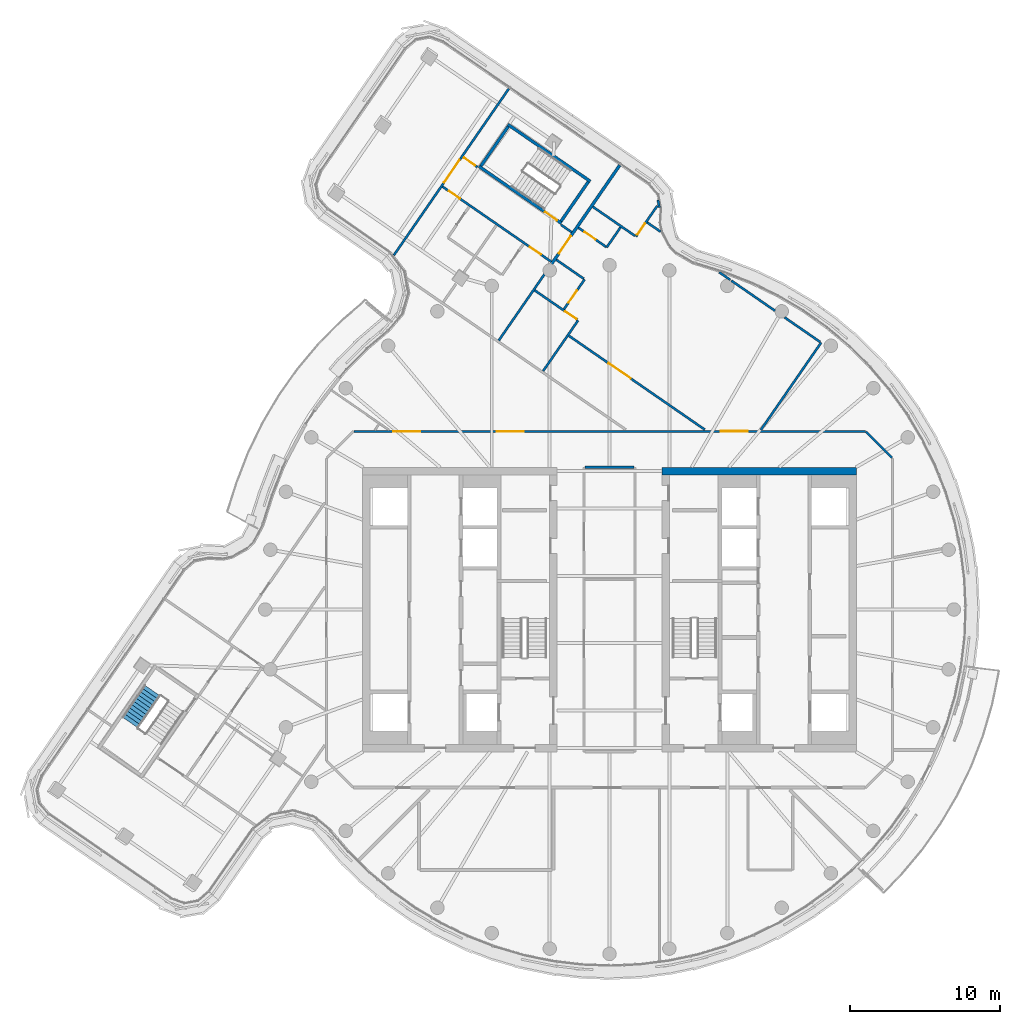
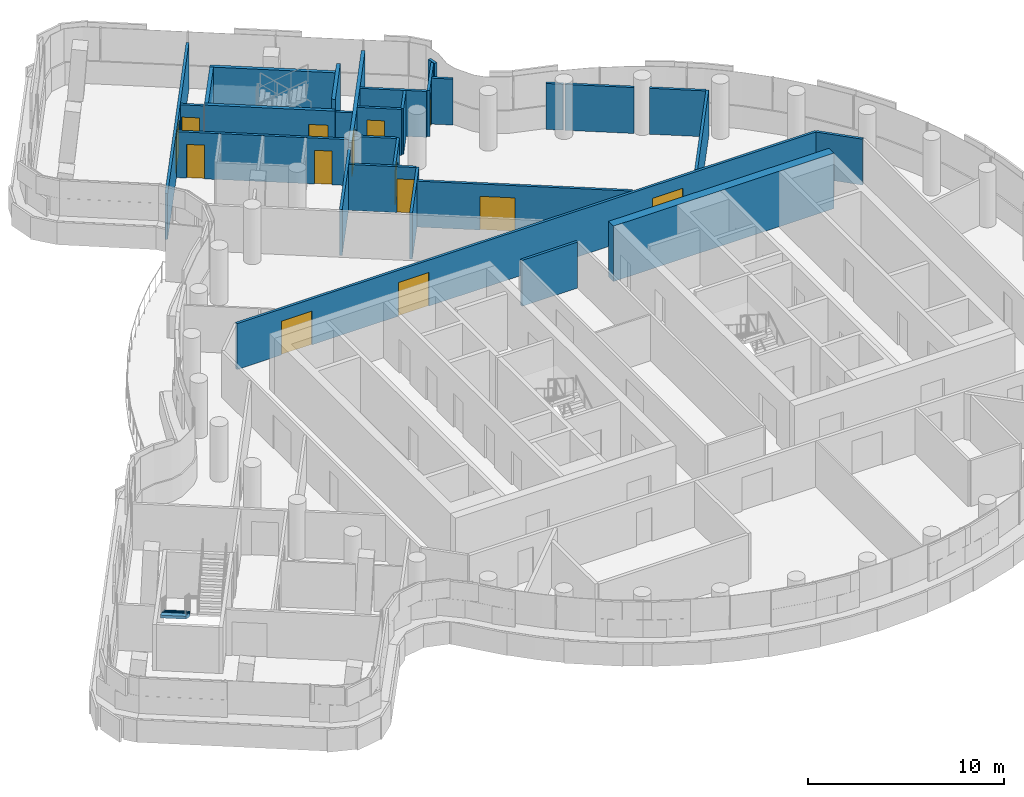
# One storey, part 19 of 26: 29 walls, 14 doors, 1 stair flight, 14 openings, 1 element without a shape of its own.
"""IFC4 building model written with IfcOpenShell, lengths in metres."""

import ifcopenshell
import ifcopenshell.guid

model = None  # the IFC model being written
_history = None  # IfcOwnerHistory: only IFC2X3 demands one
_inside = {}  # id of a spatial element -> (the spatial element, [elements in it])
_under = {}  # id of a project, library or spatial element -> (it, [spatial elements below it])
_declared = {}  # id of a project -> (the project, [libraries it declares])
_typed = {}  # id of a type object -> (the type object, [elements of that type])
_made_of = {}  # id of a material, layer set ... -> (it, [elements and type objects made of it])


def new_model(schema):
    """Start an empty IFC model of exactly this schema.

    Asked for "IFC4X3", IfcOpenShell would pick the latest addendum, in which some entities
    have other attributes; the version numbers below select the first issue.
    IFC2X3 requires an IfcOwnerHistory on every rooted entity: one is made here for all.
    """
    global model, _history
    if schema == "IFC4X3":
        model = ifcopenshell.file(schema_version=(4, 3, 0, 0))
    else:
        model = ifcopenshell.file(schema=schema)
    _inside.clear()
    _under.clear()
    _declared.clear()
    _typed.clear()
    _made_of.clear()
    _history = None
    if model.schema == "IFC2X3":
        org = make("IfcOrganization", Name="unknown")
        user = make(
            "IfcPersonAndOrganization",
            ThePerson=make("IfcPerson", FamilyName="unknown"),
            TheOrganization=org,
        )
        app = make(
            "IfcApplication",
            ApplicationDeveloper=org,
            Version="unknown",
            ApplicationFullName="unknown",
            ApplicationIdentifier="unknown",
        )
        _history = make(
            "IfcOwnerHistory",
            OwningUser=user,
            OwningApplication=app,
            ChangeAction="ADDED",
            CreationDate=0,
        )
    return model


def make(cls, **values):
    """One entity of the class cls with the attributes given. An attribute that is None is left unset."""
    return model.create_entity(
        cls, **{name: value for name, value in values.items() if value is not None}
    )


def rooted(cls, **values):
    """An entity with a GlobalId (a new one), such as an element, a storey or a relation."""
    return make(cls, GlobalId=ifcopenshell.guid.new(), OwnerHistory=_history, **values)


def si_unit(unit_type, name, prefix=None):
    """IfcSIUnit, for example si_unit("LENGTHUNIT", "METRE", prefix="MILLI")."""
    return make("IfcSIUnit", UnitType=unit_type, Prefix=prefix, Name=name)


def assignment(units):
    """IfcUnitAssignment: the units of a project."""
    return None if units is None else make("IfcUnitAssignment", Units=units)


def point(xyz):
    """IfcCartesianPoint."""
    return None if xyz is None else make("IfcCartesianPoint", Coordinates=xyz)


def direction(xyz):
    """IfcDirection."""
    return None if xyz is None else make("IfcDirection", DirectionRatios=xyz)


def frame(location, z_axis=None, x_axis=None):
    """IfcAxis2Placement3D, a coordinate frame: its origin and axes. An axis left out is left unset."""
    return make(
        "IfcAxis2Placement3D",
        Location=point(location),
        Axis=direction(z_axis),
        RefDirection=direction(x_axis),
    )


def frame_2d(location, x_axis=None):
    """IfcAxis2Placement2D, a coordinate frame in the plane: its origin and x axis."""
    return make(
        "IfcAxis2Placement2D", Location=point(location), RefDirection=direction(x_axis)
    )


def origin():
    """The frame at (0, 0, 0) with its axes left unset."""
    return frame((0.0, 0.0, 0.0))


def place(relative_to, where):
    """IfcLocalPlacement: puts the frame where relative to a parent placement (None: the world)."""
    return make(
        "IfcLocalPlacement", PlacementRelTo=relative_to, RelativePlacement=where
    )


def context(
    kind, dimensions, precision=None, world=None, true_north=None, identifier=None
):
    """IfcGeometricRepresentationContext, for example the 3D "Model" context."""
    return make(
        "IfcGeometricRepresentationContext",
        ContextIdentifier=identifier,
        ContextType=kind,
        CoordinateSpaceDimension=dimensions,
        Precision=precision,
        WorldCoordinateSystem=world,
        TrueNorth=true_north,
    )


def subcontext(parent, identifier, kind, view, scale=None):
    """IfcGeometricRepresentationSubContext, for example "Body" below "Model"."""
    return make(
        "IfcGeometricRepresentationSubContext",
        ContextIdentifier=identifier,
        ContextType=kind,
        ParentContext=parent,
        TargetScale=scale,
        TargetView=view,
    )


def project(units=None, contexts=None):
    """IfcProject with its units and contexts."""
    return rooted(
        "IfcProject",
        Name="project",
        RepresentationContexts=contexts,
        UnitsInContext=assignment(units),
    )


def spatial(cls, under=None, at=None, **own):
    """A site, building, storey or space (cls), placed at a placement, below another one or the project."""
    s = rooted(cls, ObjectPlacement=at, **own)
    if under is not None:
        _under.setdefault(under.id(), (under, []))[1].append(s)
    return s


def polyline(points):
    """IfcPolyline through the points."""
    return make("IfcPolyline", Points=[point(p) for p in points])


def profile(cls, at=None, kind="AREA", **sizes):
    """A parametric profile (cls). Its sizes go by their IFC names, for example OverallWidth=200.0."""
    return make(cls, ProfileType=kind, Position=at, **sizes)


def rectangle(**sizes):
    """IfcRectangleProfileDef."""
    return profile("IfcRectangleProfileDef", **sizes)


def outline(outer, holes=None, kind="AREA"):
    """IfcArbitraryClosedProfileDef: a profile drawn as a closed curve; with holes, ...WithVoids."""
    if holes is None:
        return make("IfcArbitraryClosedProfileDef", ProfileType=kind, OuterCurve=outer)
    return make(
        "IfcArbitraryProfileDefWithVoids",
        ProfileType=kind,
        OuterCurve=outer,
        InnerCurves=holes,
    )


def extrude(swept, where, along, depth):
    """IfcExtrudedAreaSolid: the profile swept, set in the frame where, extruded along a direction by depth."""
    return make(
        "IfcExtrudedAreaSolid",
        SweptArea=swept,
        Position=where,
        ExtrudedDirection=direction(along),
        Depth=depth,
    )


def shape(context_of_items, identifier, shape_type, items):
    """IfcShapeRepresentation: the items that make up one representation, for example the "Body"."""
    return make(
        "IfcShapeRepresentation",
        ContextOfItems=context_of_items,
        RepresentationIdentifier=identifier,
        RepresentationType=shape_type,
        Items=items,
    )


def material(Name=None, Category=None):
    """IfcMaterial."""
    return make("IfcMaterial", Name=Name, Category=Category)


def layer(
    of_material, thickness, ventilated=None, Name=None, Category=None, Priority=None
):
    """IfcMaterialLayer: one layer of a wall or slab, of a material (None: an air gap)."""
    return make(
        "IfcMaterialLayer",
        Material=of_material,
        LayerThickness=thickness,
        IsVentilated=ventilated,
        Name=Name,
        Category=Category,
        Priority=Priority,
    )


def layer_set(layers, Name=None):
    """IfcMaterialLayerSet."""
    return make("IfcMaterialLayerSet", MaterialLayers=layers, LayerSetName=Name)


def made_of(thing, what):
    """Note that an element or type object is made of a material, layer set ...; save() writes the relation."""
    if what is not None:
        _made_of.setdefault(what.id(), (what, []))[1].append(thing)
    return thing


def type_object(cls, material=None, **own):
    """A type object (cls), such as IfcWallType, which elements share."""
    return made_of(rooted(cls, **own), material)


def element(
    cls,
    number,
    at=None,
    inside=None,
    cuts=None,
    type_object=None,
    material=None,
    context=None,
    identifier="Body",
    shape_type=None,
    held_by="IfcProductDefinitionShape",
    body=None,
    shapes=None,
    **own,
):
    """One element of the class cls, such as IfcWall. Its Tag is "e" and its number.

    at: its placement. inside: the storey or other place that contains it. cuts: it is an
    opening in that element (IfcRelVoidsElement). A single representation is given by context,
    identifier, shape_type and body (its items); several are given by shapes. held_by: the class
    of the entity that holds the representations. save() writes the other relations.
    """
    e = rooted(cls, Tag="e%d" % number, ObjectPlacement=at, **own)
    if body is not None:
        shapes = [shape(context, identifier, shape_type, body)]
    if shapes is not None:
        e.Representation = make(held_by, Representations=shapes)
    if inside is not None:
        _inside.setdefault(inside.id(), (inside, []))[1].append(e)
    if cuts is not None:
        rooted(
            "IfcRelVoidsElement", RelatingBuildingElement=cuts, RelatedOpeningElement=e
        )
    if type_object is not None:
        _typed.setdefault(type_object.id(), (type_object, []))[1].append(e)
    return made_of(e, material)


def fill(opening, filler):
    """IfcRelFillsElement: the door or window that sits in an opening."""
    return rooted(
        "IfcRelFillsElement",
        RelatingOpeningElement=opening,
        RelatedBuildingElement=filler,
    )


def aggregate(whole, parts):
    """IfcRelAggregates: a whole, such as a stair, and the parts it consists of."""
    return rooted("IfcRelAggregates", RelatingObject=whole, RelatedObjects=parts)


def save(model, path):
    """Write the relations noted so far, then the file.

    IfcRelAggregates (storeys below a building ...), IfcRelContainedInSpatialStructure (elements
    in a storey), IfcRelDefinesByType, IfcRelAssociatesMaterial and IfcRelDeclares: one each for
    every whole, place, type object, material and project.
    """
    for whole, parts in _under.values():
        aggregate(whole, parts)
    for where, things in _inside.values():
        rooted(
            "IfcRelContainedInSpatialStructure",
            RelatedElements=things,
            RelatingStructure=where,
        )
    for kind, things in _typed.values():
        rooted("IfcRelDefinesByType", RelatedObjects=things, RelatingType=kind)
    for what, things in _made_of.values():
        rooted("IfcRelAssociatesMaterial", RelatedObjects=things, RelatingMaterial=what)
    for by, libraries in _declared.values():
        rooted("IfcRelDeclares", RelatingContext=by, RelatedDefinitions=libraries)
    model.write(path)


model = new_model("IFC4")

# Units and contexts
model_context = context("Model", 3, precision=1e-05, world=origin(), true_north=direction((0.0, 1.0)))
body_context = subcontext(model_context, "Body", "Model", "MODEL_VIEW")
ifc_project = project(units=[si_unit("LENGTHUNIT", "METRE"), si_unit("AREAUNIT", "SQUARE_METRE"), si_unit("VOLUMEUNIT", "CUBIC_METRE"), si_unit("PLANEANGLEUNIT", "RADIAN"), si_unit("MASSUNIT", "GRAM", prefix="KILO")], contexts=[model_context])

# Site, building, storey
site_placement = place(None, origin())
site = spatial("IfcSite", under=ifc_project, at=site_placement, CompositionType="ELEMENT")
building_placement = place(site_placement, origin())
building = spatial("IfcBuilding", under=site, at=building_placement, Name="Tamarind Cross Interchange Tower", CompositionType="ELEMENT")
storey_placement = place(building_placement, frame((0.0, 0.0, 234.300048828125)))
storey = spatial("IfcBuildingStorey", under=building, at=storey_placement, Name="L59", CompositionType="ELEMENT", Elevation=234.300048828125)

# Walls
ifc_material_1 = material(Name="Concrete C50", Category="concrete")
ifc_layer_1 = layer(ifc_material_1, 0.5)
ifc_layer_set_1 = layer_set([ifc_layer_1], Name="Concrete C50")
wall_type_1 = type_object("IfcWallType", Name="Core wall 500 mm Concrete C50", PredefinedType="SHEAR", material=ifc_layer_set_1)
wall_1_placement = place(storey_placement, frame((16.5, 9.25, 0.0), z_axis=(0.0, 0.0, 1.0), x_axis=(-1.0, 0.0, 0.0)))
element("IfcWall", 1, at=wall_1_placement, inside=storey, type_object=wall_type_1, Name="Core wall CWL-L59-E-NE", PredefinedType="SHEAR", context=body_context, shape_type="SweptSolid", body=[
    extrude(rectangle(XDim=13.0, YDim=0.5, at=frame_2d((6.5, 0.0))), origin(), (0.0, 0.0, 1.0), 3.4599609375),
])
ifc_material_2 = material(Name="Gypsum board partition on steel studs", Category="steel")
ifc_layer_2 = layer(ifc_material_2, 0.14990234375)
ifc_layer_set_2 = layer_set([ifc_layer_2], Name="Gypsum board partition on steel studs")
wall_type_2 = type_object("IfcWallType", Name="Partition 150 mm EI 120", PredefinedType="PARTITIONING", material=ifc_layer_set_2)
wall_2_placement = place(storey_placement, frame((17.12841796875, 11.87158203125, 0.0), z_axis=(0.0, 0.0, 1.0), x_axis=(0.707106781187, -0.707106781187, 0.0)))
element("IfcWall", 2, at=wall_2_placement, inside=storey, type_object=wall_type_2, Name="Partition L59-003", PredefinedType="PARTITIONING", context=body_context, shape_type="SweptSolid", body=[
    extrude(rectangle(XDim=2.465087890625, YDim=0.14990234375, at=frame_2d((1.232421875, 0.0))), origin(), (0.0, 0.0, 1.0), 2.864013671875),
])

# Wall, openings, doors
wall_3_placement = place(storey_placement, frame((-11.149169921875, 28.240478515625, 0.0), z_axis=(0.0, 0.0, 1.0), x_axis=(0.822911999703, -0.568168848798, 0.0)))
wall_3 = element("IfcWall", 3, at=wall_3_placement, inside=storey, type_object=wall_type_2, Name="Partition L59-012", PredefinedType="PARTITIONING", context=body_context, shape_type="SweptSolid", body=[
    extrude(rectangle(XDim=8.820068359375, YDim=0.14990234375, at=frame_2d((4.41015625, 0.0))), origin(), (0.0, 0.0, 1.0), 2.864013671875),
])
opening_1_placement = place(wall_3_placement, frame((7.070556640625, 0.0, 0.0)))
opening_1 = element("IfcOpeningElement", 4, at=opening_1_placement, cuts=wall_3, Name="Opening D03", PredefinedType="OPENING", context=body_context, shape_type="SweptSolid", body=[
    extrude(rectangle(XDim=0.89990234375, YDim=2.10009765625, at=frame_2d((0.449951171875, 1.050048828125))), frame((0.0, 0.0849609375, 0.0), z_axis=(0.0, -1.0, 0.0), x_axis=(1.0, 0.0, 0.0)), (0.0, 0.0, 1.0), 0.169921875),
])
opening_2_placement = place(wall_3_placement, frame((0.52001953125, 0.0, 0.0)))
opening_2 = element("IfcOpeningElement", 5, at=opening_2_placement, cuts=wall_3, Name="Opening D04", PredefinedType="OPENING", context=body_context, shape_type="SweptSolid", body=[
    extrude(rectangle(XDim=0.89990234375, YDim=2.10009765625, at=frame_2d((0.449951171875, 1.050048828125))), frame((0.0, 0.0849609375, 0.0), z_axis=(0.0, -1.0, 0.0), x_axis=(1.0, 0.0, 0.0)), (0.0, 0.0, 1.0), 0.169921875),
])
ifc_material_3 = material(Name="Fire-resisting door set")
door_type_1 = type_object("IfcDoorType", Name="Interior door 900 x 2100 FD60S", OperationType="SINGLE_SWING_LEFT", PredefinedType="DOOR", material=ifc_material_3)
door_1_placement = place(opening_1_placement, frame((0.89990234375, 0.0, 0.0), z_axis=(0.0, 0.0, 1.0), x_axis=(-1.0, 0.0, 0.0)))
door_1 = element("IfcDoor", 6, at=door_1_placement, inside=storey, type_object=door_type_1, Name="Door D03", OperationType="SINGLE_SWING_RIGHT", OverallHeight=2.10009765625, OverallWidth=0.89990234375, PredefinedType="DOOR", context=body_context, shape_type="SweptSolid", body=[
    extrude(rectangle(XDim=0.89990234375, YDim=2.10009765625, at=frame_2d((0.449951171875, 1.050048828125))), frame((0.0, 0.02490234375, 0.0), z_axis=(0.0, -1.0, 0.0), x_axis=(1.0, 0.0, 0.0)), (0.0, 0.0, 1.0), 0.050048828125),
])
fill(opening_1, door_1)
door_2_placement = place(opening_2_placement, frame((0.89990234375, 0.0, 0.0), z_axis=(0.0, 0.0, 1.0), x_axis=(-1.0, 0.0, 0.0)))
door_2 = element("IfcDoor", 7, at=door_2_placement, inside=storey, type_object=door_type_1, Name="Door D04", OperationType="SINGLE_SWING_LEFT", OverallHeight=2.10009765625, OverallWidth=0.89990234375, PredefinedType="DOOR", context=body_context, shape_type="SweptSolid", body=[
    extrude(rectangle(XDim=0.89990234375, YDim=2.10009765625, at=frame_2d((0.449951171875, 1.050048828125))), frame((0.0, 0.02490234375, 0.0), z_axis=(0.0, -1.0, 0.0), x_axis=(1.0, 0.0, 0.0)), (0.0, 0.0, 1.0), 0.050048828125),
])
fill(opening_2, door_2)

# Wall, opening, door
wall_4_placement = place(storey_placement, frame((-9.78515625, 30.215576171875, 0.0), z_axis=(0.0, 0.0, 1.0), x_axis=(0.82280245834, -0.568327471225, 0.0)))
wall_4 = element("IfcWall", 8, at=wall_4_placement, inside=storey, type_object=wall_type_2, Name="Partition L59-014", PredefinedType="PARTITIONING", context=body_context, shape_type="SweptSolid", body=[
    extrude(rectangle(XDim=1.179931640625, YDim=0.14990234375, at=frame_2d((0.58984375, 0.0))), origin(), (0.0, 0.0, 1.0), 2.864013671875),
])
opening_3_placement = place(wall_4_placement, frame((0.070068359375, 0.0, 0.0)))
opening_3 = element("IfcOpeningElement", 9, at=opening_3_placement, cuts=wall_4, Name="Opening D05", PredefinedType="OPENING", context=body_context, shape_type="SweptSolid", body=[
    extrude(rectangle(XDim=0.89990234375, YDim=2.10009765625, at=frame_2d((0.449951171875, 1.050048828125))), frame((0.0, 0.0849609375, 0.0), z_axis=(0.0, -1.0, 0.0), x_axis=(1.0, 0.0, 0.0)), (0.0, 0.0, 1.0), 0.169921875),
])
door_3_placement = place(opening_3_placement, origin())
door_3 = element("IfcDoor", 10, at=door_3_placement, inside=storey, type_object=door_type_1, Name="Door D05", OperationType="SINGLE_SWING_RIGHT", OverallHeight=2.10009765625, OverallWidth=0.89990234375, PredefinedType="DOOR", context=body_context, shape_type="SweptSolid", body=[
    extrude(rectangle(XDim=0.89990234375, YDim=2.10009765625, at=frame_2d((0.449951171875, 1.050048828125))), frame((0.0, 0.02490234375, 0.0), z_axis=(0.0, -1.0, 0.0), x_axis=(1.0, 0.0, 0.0)), (0.0, 0.0, 1.0), 0.050048828125),
])
fill(opening_3, door_3)

# Wall
wall_5_placement = place(storey_placement, frame((-3.2353515625, 25.692626953125, 0.0), z_axis=(0.0, 0.0, 1.0), x_axis=(0.822947443063, -0.568117510694, 0.0)))
element("IfcWall", 11, at=wall_5_placement, inside=storey, type_object=wall_type_2, Name="Partition L59-015", PredefinedType="PARTITIONING", context=body_context, shape_type="SweptSolid", body=[
    extrude(rectangle(XDim=0.8603515625, YDim=0.14990234375, at=frame_2d((0.43017578125, 0.0))), origin(), (0.0, 0.0, 1.0), 2.864013671875),
])

# Wall, opening, door
wall_6_placement = place(storey_placement, frame((-4.9931640625, 21.315673828125, 0.0), z_axis=(0.0, 0.0, 1.0), x_axis=(0.823002595966, -0.568037610579, 0.0)))
wall_6 = element("IfcWall", 12, at=wall_6_placement, inside=storey, type_object=wall_type_2, Name="Partition L59-016", PredefinedType="PARTITIONING", context=body_context, shape_type="SweptSolid", body=[
    extrude(rectangle(XDim=3.4453125, YDim=0.14990234375, at=frame_2d((1.72265625, 0.0))), origin(), (0.0, 0.0, 1.0), 2.864013671875),
])
opening_4_placement = place(wall_6_placement, frame((2.4697265625, 0.0, 0.0)))
opening_4 = element("IfcOpeningElement", 13, at=opening_4_placement, cuts=wall_6, Name="Opening D06", PredefinedType="OPENING", context=body_context, shape_type="SweptSolid", body=[
    extrude(rectangle(XDim=0.89990234375, YDim=2.10009765625, at=frame_2d((0.449951171875, 1.050048828125))), frame((0.0, 0.0849609375, 0.0), z_axis=(0.0, -1.0, 0.0), x_axis=(1.0, 0.0, 0.0)), (0.0, 0.0, 1.0), 0.169921875),
])
door_4_placement = place(opening_4_placement, frame((0.89990234375, 0.0, 0.0), z_axis=(0.0, 0.0, 1.0), x_axis=(-1.0, 0.0, 0.0)))
door_4 = element("IfcDoor", 14, at=door_4_placement, inside=storey, type_object=door_type_1, Name="Door D06", OperationType="SINGLE_SWING_RIGHT", OverallHeight=2.10009765625, OverallWidth=0.89990234375, PredefinedType="DOOR", context=body_context, shape_type="SweptSolid", body=[
    extrude(rectangle(XDim=0.89990234375, YDim=2.10009765625, at=frame_2d((0.449951171875, 1.050048828125))), frame((0.0, 0.02490234375, 0.0), z_axis=(0.0, -1.0, 0.0), x_axis=(1.0, 0.0, 0.0)), (0.0, 0.0, 1.0), 0.050048828125),
])
fill(opening_4, door_4)

# Wall
wall_7_placement = place(storey_placement, frame((-3.5556640625, 23.3623046875, 0.0), z_axis=(0.0, 0.0, 1.0), x_axis=(0.822823613498, -0.568296842389, 0.0)))
element("IfcWall", 15, at=wall_7_placement, inside=storey, type_object=wall_type_2, Name="Partition L59-017", PredefinedType="PARTITIONING", context=body_context, shape_type="SweptSolid", body=[
    extrude(rectangle(XDim=2.225341796875, YDim=0.14990234375, at=frame_2d((1.11279296875, 0.0))), origin(), (0.0, 0.0, 1.0), 2.864013671875),
])

# Wall, opening, door
wall_8_placement = place(storey_placement, frame((-2.712158203125, 18.282470703125, 0.0), z_axis=(0.0, 0.0, 1.0), x_axis=(0.822882105938, -0.568212143242, 0.0)))
wall_8 = element("IfcWall", 16, at=wall_8_placement, inside=storey, type_object=wall_type_2, Name="Partition L59-018", PredefinedType="PARTITIONING", context=body_context, shape_type="SweptSolid", body=[
    extrude(rectangle(XDim=11.022705078125, YDim=0.14990234375, at=frame_2d((5.51123046875, 0.0))), origin(), (0.0, 0.0, 1.0), 2.864013671875),
])
opening_5_placement = place(wall_8_placement, frame((3.219970703125, 0.0, 0.0)))
opening_5 = element("IfcOpeningElement", 17, at=opening_5_placement, cuts=wall_8, Name="Opening D07", PredefinedType="OPENING", context=body_context, shape_type="SweptSolid", body=[
    extrude(rectangle(XDim=1.800048828125, YDim=2.10009765625, at=frame_2d((0.89990234375, 1.050048828125))), frame((0.0, 0.0849609375, 0.0), z_axis=(0.0, -1.0, 0.0), x_axis=(1.0, 0.0, 0.0)), (0.0, 0.0, 1.0), 0.169921875),
])
door_type_2 = type_object("IfcDoorType", Name="Interior door 1800 x 2100 FD60S", OperationType="DOUBLE_DOOR_SINGLE_SWING", PredefinedType="DOOR", material=ifc_material_3)
door_5_placement = place(opening_5_placement, frame((1.800048828125, 0.0, 0.0), z_axis=(0.0, 0.0, 1.0), x_axis=(-1.0, 0.0, 0.0)))
door_5 = element("IfcDoor", 18, at=door_5_placement, inside=storey, type_object=door_type_2, Name="Door D07", OperationType="DOUBLE_DOOR_SINGLE_SWING", OverallHeight=2.10009765625, OverallWidth=1.800048828125, PredefinedType="DOOR", context=body_context, shape_type="SweptSolid", body=[
    extrude(rectangle(XDim=1.800048828125, YDim=2.10009765625, at=frame_2d((0.89990234375, 1.050048828125))), frame((0.0, 0.02490234375, 0.0), z_axis=(0.0, -1.0, 0.0), x_axis=(1.0, 0.0, 0.0)), (0.0, 0.0, 1.0), 0.050048828125),
])
fill(opening_5, door_5)

wall_9_placement = place(storey_placement, frame((-2.07861328125, 25.501220703125, 0.0), z_axis=(0.0, 0.0, 1.0), x_axis=(0.822812265146, -0.568313273051, 0.0)))
wall_9 = element("IfcWall", 19, at=wall_9_placement, inside=storey, type_object=wall_type_2, Name="Partition L59-019", PredefinedType="PARTITIONING", context=body_context, shape_type="SweptSolid", body=[
    extrude(rectangle(XDim=2.2802734375, YDim=0.14990234375, at=frame_2d((1.14013671875, 0.0))), origin(), (0.0, 0.0, 1.0), 2.864013671875),
])
opening_6_placement = place(wall_9_placement, frame((0.5, 0.0, 0.0)))
opening_6 = element("IfcOpeningElement", 20, at=opening_6_placement, cuts=wall_9, Name="Opening D08", PredefinedType="OPENING", context=body_context, shape_type="SweptSolid", body=[
    extrude(rectangle(XDim=0.89990234375, YDim=2.10009765625, at=frame_2d((0.449951171875, 1.050048828125))), frame((0.0, 0.0849609375, 0.0), z_axis=(0.0, -1.0, 0.0), x_axis=(1.0, 0.0, 0.0)), (0.0, 0.0, 1.0), 0.169921875),
])
door_6_placement = place(opening_6_placement, origin())
door_6 = element("IfcDoor", 21, at=door_6_placement, inside=storey, type_object=door_type_1, Name="Door D08", OperationType="SINGLE_SWING_RIGHT", OverallHeight=2.10009765625, OverallWidth=0.89990234375, PredefinedType="DOOR", context=body_context, shape_type="SweptSolid", body=[
    extrude(rectangle(XDim=0.89990234375, YDim=2.10009765625, at=frame_2d((0.449951171875, 1.050048828125))), frame((0.0, 0.02490234375, 0.0), z_axis=(0.0, -1.0, 0.0), x_axis=(1.0, 0.0, 0.0)), (0.0, 0.0, 1.0), 0.050048828125),
])
fill(opening_6, door_6)

# Walls
wall_10_placement = place(storey_placement, frame((-1.11279296875, 26.900146484375, 0.0), z_axis=(0.0, 0.0, 1.0), x_axis=(0.822835791023, -0.568279210434, 0.0)))
element("IfcWall", 22, at=wall_10_placement, inside=storey, type_object=wall_type_2, Name="Partition L59-020", PredefinedType="PARTITIONING", context=body_context, shape_type="SweptSolid", body=[
    extrude(rectangle(XDim=3.4248046875, YDim=0.14990234375, at=frame_2d((1.71240234375, 0.0))), origin(), (0.0, 0.0, 1.0), 2.864013671875),
])
wall_11_placement = place(storey_placement, frame((2.514892578125, 25.853515625, 0.0), z_axis=(0.0, 0.0, 1.0), x_axis=(0.82271698024, -0.568451203205, 0.0)))
element("IfcWall", 23, at=wall_11_placement, inside=storey, type_object=wall_type_2, Name="Partition L59-021", PredefinedType="PARTITIONING", context=body_context, shape_type="SweptSolid", body=[
    extrude(rectangle(XDim=1.087890625, YDim=0.14990234375, at=frame_2d((0.5439453125, 0.0))), origin(), (0.0, 0.0, 1.0), 2.864013671875),
])
wall_12_placement = place(storey_placement, frame((7.327392578125, 22.5283203125, 0.0), z_axis=(0.0, 0.0, 1.0), x_axis=(0.822772158808, -0.568371335211, 0.0)))
element("IfcWall", 24, at=wall_12_placement, inside=storey, type_object=wall_type_2, Name="Partition L59-022", PredefinedType="PARTITIONING", context=body_context, shape_type="SweptSolid", body=[
    extrude(rectangle(XDim=0.8935546875, YDim=0.14990234375, at=frame_2d((0.44677734375, 0.0))), origin(), (0.0, 0.0, 1.0), 2.864013671875),
])
wall_13_placement = place(storey_placement, frame((8.14306640625, 21.964599609375, 0.0), z_axis=(0.0, 0.0, 1.0), x_axis=(0.822719175058, -0.56844802664, 0.0)))
element("IfcWall", 25, at=wall_13_placement, inside=storey, type_object=wall_type_2, Name="Partition L59-023", PredefinedType="PARTITIONING", context=body_context, shape_type="SweptSolid", body=[
    extrude(rectangle(XDim=3.533447265625, YDim=0.14990234375, at=frame_2d((1.7666015625, 0.0))), origin(), (0.0, 0.0, 1.0), 2.864013671875),
])
wall_14_placement = place(storey_placement, frame((11.694580078125, 19.5107421875, 0.0), z_axis=(0.0, 0.0, 1.0), x_axis=(0.822712363529, -0.568457884893, 0.0)))
element("IfcWall", 26, at=wall_14_placement, inside=storey, type_object=wall_type_2, Name="Partition L59-024", PredefinedType="PARTITIONING", context=body_context, shape_type="SweptSolid", body=[
    extrude(rectangle(XDim=2.887451171875, YDim=0.14990234375, at=frame_2d((1.44384765625, 0.0))), origin(), (0.0, 0.0, 1.0), 2.864013671875),
])

# Wall, openings, doors
wall_15_placement = place(storey_placement, frame((-17.06494140625, 11.89990234375, 0.0), z_axis=(0.0, 0.0, 1.0), x_axis=(1.0, 0.0, 0.0)))
wall_15 = element("IfcWall", 27, at=wall_15_placement, inside=storey, type_object=wall_type_2, Name="Partition L59-026", PredefinedType="PARTITIONING", context=body_context, shape_type="SweptSolid", body=[
    extrude(rectangle(XDim=34.1650390625, YDim=0.14990234375, at=frame_2d((17.08251953125, 0.0))), origin(), (0.0, 0.0, 1.0), 2.864013671875),
])
opening_7_placement = place(wall_15_placement, frame((24.49609375, 0.0, 0.0)))
opening_7 = element("IfcOpeningElement", 28, at=opening_7_placement, cuts=wall_15, Name="Opening D15", PredefinedType="OPENING", context=body_context, shape_type="SweptSolid", body=[
    extrude(rectangle(XDim=1.800048828125, YDim=2.10009765625, at=frame_2d((0.89990234375, 1.050048828125))), frame((0.0, 0.0849609375, 0.0), z_axis=(0.0, -1.0, 0.0), x_axis=(1.0, 0.0, 0.0)), (0.0, 0.0, 1.0), 0.169921875),
])
opening_8_placement = place(wall_15_placement, frame((9.52001953125, 0.0, 0.0)))
opening_8 = element("IfcOpeningElement", 29, at=opening_8_placement, cuts=wall_15, Name="Opening D16", PredefinedType="OPENING", context=body_context, shape_type="SweptSolid", body=[
    extrude(rectangle(XDim=1.800048828125, YDim=2.10009765625, at=frame_2d((0.89990234375, 1.050048828125))), frame((0.0, 0.0849609375, 0.0), z_axis=(0.0, -1.0, 0.0), x_axis=(1.0, 0.0, 0.0)), (0.0, 0.0, 1.0), 0.169921875),
])
opening_9_placement = place(wall_15_placement, frame((2.6201171875, 0.0, 0.0)))
opening_9 = element("IfcOpeningElement", 30, at=opening_9_placement, cuts=wall_15, Name="Opening D17", PredefinedType="OPENING", context=body_context, shape_type="SweptSolid", body=[
    extrude(rectangle(XDim=1.800048828125, YDim=2.10009765625, at=frame_2d((0.89990234375, 1.050048828125))), frame((0.0, 0.0849609375, 0.0), z_axis=(0.0, -1.0, 0.0), x_axis=(1.0, 0.0, 0.0)), (0.0, 0.0, 1.0), 0.169921875),
])
door_7_placement = place(opening_7_placement, frame((1.800048828125, 0.0, 0.0), z_axis=(0.0, 0.0, 1.0), x_axis=(-1.0, 0.0, 0.0)))
door_7 = element("IfcDoor", 31, at=door_7_placement, inside=storey, type_object=door_type_2, Name="Door D15", OperationType="DOUBLE_DOOR_SINGLE_SWING", OverallHeight=2.10009765625, OverallWidth=1.800048828125, PredefinedType="DOOR", context=body_context, shape_type="SweptSolid", body=[
    extrude(rectangle(XDim=1.800048828125, YDim=2.10009765625, at=frame_2d((0.89990234375, 1.050048828125))), frame((0.0, 0.02490234375, 0.0), z_axis=(0.0, -1.0, 0.0), x_axis=(1.0, 0.0, 0.0)), (0.0, 0.0, 1.0), 0.050048828125),
])
fill(opening_7, door_7)
door_8_placement = place(opening_8_placement, origin())
door_8 = element("IfcDoor", 32, at=door_8_placement, inside=storey, type_object=door_type_2, Name="Door D16", OperationType="DOUBLE_DOOR_SINGLE_SWING", OverallHeight=2.10009765625, OverallWidth=1.800048828125, PredefinedType="DOOR", context=body_context, shape_type="SweptSolid", body=[
    extrude(rectangle(XDim=1.800048828125, YDim=2.10009765625, at=frame_2d((0.89990234375, 1.050048828125))), frame((0.0, 0.02490234375, 0.0), z_axis=(0.0, -1.0, 0.0), x_axis=(1.0, 0.0, 0.0)), (0.0, 0.0, 1.0), 0.050048828125),
])
fill(opening_8, door_8)
door_9_placement = place(opening_9_placement, origin())
door_9 = element("IfcDoor", 33, at=door_9_placement, inside=storey, type_object=door_type_2, Name="Door D17", OperationType="DOUBLE_DOOR_SINGLE_SWING", OverallHeight=2.10009765625, OverallWidth=1.800048828125, PredefinedType="DOOR", context=body_context, shape_type="SweptSolid", body=[
    extrude(rectangle(XDim=1.800048828125, YDim=2.10009765625, at=frame_2d((0.89990234375, 1.050048828125))), frame((0.0, 0.02490234375, 0.0), z_axis=(0.0, -1.0, 0.0), x_axis=(1.0, 0.0, 0.0)), (0.0, 0.0, 1.0), 0.050048828125),
])
fill(opening_9, door_9)

# Wall
wall_16_placement = place(storey_placement, frame((-1.639892578125, 9.5, 0.0), z_axis=(0.0, 0.0, 1.0), x_axis=(1.0, 0.0, 0.0)))
element("IfcWall", 34, at=wall_16_placement, inside=storey, type_object=wall_type_2, Name="Partition L59-031", PredefinedType="PARTITIONING", context=body_context, shape_type="SweptSolid", body=[
    extrude(rectangle(XDim=3.27978515625, YDim=0.14990234375, at=frame_2d((1.639892578125, 0.0))), origin(), (0.0, 0.0, 1.0), 2.864013671875),
])

# Wall, opening, door
wall_17_placement = place(storey_placement, frame((-14.407470703125, 23.662841796875, 0.0), z_axis=(0.0, 0.0, 1.0), x_axis=(0.568214013038, 0.822880814813, 0.0)))
wall_17 = element("IfcWall", 35, at=wall_17_placement, inside=storey, type_object=wall_type_2, Name="Partition L59-043", PredefinedType="PARTITIONING", context=body_context, shape_type="SweptSolid", body=[
    extrude(rectangle(XDim=13.51708984375, YDim=0.14990234375, at=frame_2d((6.758544921875, 0.0))), origin(), (0.0, 0.0, 1.0), 2.864013671875),
])
opening_10_placement = place(wall_17_placement, frame((5.91845703125, 0.0, 0.0)))
opening_10 = element("IfcOpeningElement", 36, at=opening_10_placement, cuts=wall_17, Name="Opening D22", PredefinedType="OPENING", context=body_context, shape_type="SweptSolid", body=[
    extrude(rectangle(XDim=1.800048828125, YDim=2.10009765625, at=frame_2d((0.89990234375, 1.050048828125))), frame((0.0, 0.0849609375, 0.0), z_axis=(0.0, -1.0, 0.0), x_axis=(1.0, 0.0, 0.0)), (0.0, 0.0, 1.0), 0.169921875),
])
door_10_placement = place(opening_10_placement, origin())
door_10 = element("IfcDoor", 37, at=door_10_placement, inside=storey, type_object=door_type_2, Name="Door D22", OperationType="DOUBLE_DOOR_SINGLE_SWING", OverallHeight=2.10009765625, OverallWidth=1.800048828125, PredefinedType="DOOR", context=body_context, shape_type="SweptSolid", body=[
    extrude(rectangle(XDim=1.800048828125, YDim=2.10009765625, at=frame_2d((0.89990234375, 1.050048828125))), frame((0.0, 0.02490234375, 0.0), z_axis=(0.0, -1.0, 0.0), x_axis=(1.0, 0.0, 0.0)), (0.0, 0.0, 1.0), 0.050048828125),
])
fill(opening_10, door_10)

# Walls
wall_18_placement = place(storey_placement, frame((-7.3994140625, 17.970703125, 0.0), z_axis=(0.0, 0.0, 1.0), x_axis=(0.568117777374, 0.822947258961, 0.0)))
element("IfcWall", 38, at=wall_18_placement, inside=storey, type_object=wall_type_2, Name="Partition L59-047", PredefinedType="PARTITIONING", context=body_context, shape_type="SweptSolid", body=[
    extrude(rectangle(XDim=5.55859375, YDim=0.14990234375, at=frame_2d((2.779296875, 0.0))), origin(), (0.0, 0.0, 1.0), 2.864013671875),
])
wall_19_placement = place(storey_placement, frame((-4.4375, 15.92578125, 0.0), z_axis=(0.0, 0.0, 1.0), x_axis=(0.568380820639, 0.82276560619, 0.0)))
element("IfcWall", 39, at=wall_19_placement, inside=storey, type_object=wall_type_2, Name="Partition L59-050", PredefinedType="PARTITIONING", context=body_context, shape_type="SweptSolid", body=[
    extrude(rectangle(XDim=4.1201171875, YDim=0.14990234375, at=frame_2d((2.06005859375, 0.0))), origin(), (0.0, 0.0, 1.0), 2.864013671875),
])

# Wall, opening, door
wall_20_placement = place(storey_placement, frame((1.768798828125, 24.90966796875, 0.0), z_axis=(0.0, 0.0, 1.0), x_axis=(0.568435463035, 0.82272785559, 0.0)))
wall_20 = element("IfcWall", 40, at=wall_20_placement, inside=storey, type_object=wall_type_2, Name="Partition L59-051", PredefinedType="PARTITIONING", context=body_context, shape_type="SweptSolid", body=[
    extrude(rectangle(XDim=2.5087890625, YDim=0.14990234375, at=frame_2d((1.25439453125, 0.0))), origin(), (0.0, 0.0, 1.0), 2.864013671875),
])
opening_11_placement = place(wall_20_placement, frame((0.14990234375, 0.0, 0.0)))
opening_11 = element("IfcOpeningElement", 41, at=opening_11_placement, cuts=wall_20, Name="Opening D26", PredefinedType="OPENING", context=body_context, shape_type="SweptSolid", body=[
    extrude(rectangle(XDim=0.89990234375, YDim=2.10009765625, at=frame_2d((0.449951171875, 1.050048828125))), frame((0.0, 0.0849609375, 0.0), z_axis=(0.0, -1.0, 0.0), x_axis=(1.0, 0.0, 0.0)), (0.0, 0.0, 1.0), 0.169921875),
])
door_11_placement = place(opening_11_placement, origin())
door_11 = element("IfcDoor", 42, at=door_11_placement, inside=storey, type_object=door_type_1, Name="Door D26", OperationType="SINGLE_SWING_RIGHT", OverallHeight=2.10009765625, OverallWidth=0.89990234375, PredefinedType="DOOR", context=body_context, shape_type="SweptSolid", body=[
    extrude(rectangle(XDim=0.89990234375, YDim=2.10009765625, at=frame_2d((0.449951171875, 1.050048828125))), frame((0.0, 0.02490234375, 0.0), z_axis=(0.0, -1.0, 0.0), x_axis=(1.0, 0.0, 0.0)), (0.0, 0.0, 1.0), 0.050048828125),
])
fill(opening_11, door_11)

wall_21_placement = place(storey_placement, frame((-3.03857421875, 20.063720703125, 0.0), z_axis=(0.0, 0.0, 1.0), x_axis=(0.568359858761, 0.822780086627, 0.0)))
wall_21 = element("IfcWall", 43, at=wall_21_placement, inside=storey, type_object=wall_type_2, Name="Partition L59-052", PredefinedType="PARTITIONING", context=body_context, shape_type="SweptSolid", body=[
    extrude(rectangle(XDim=2.420166015625, YDim=0.14990234375, at=frame_2d((1.2099609375, 0.0))), origin(), (0.0, 0.0, 1.0), 2.864013671875),
])
opening_12_placement = place(wall_21_placement, frame((0.52001953125, 0.0, 0.0)))
opening_12 = element("IfcOpeningElement", 44, at=opening_12_placement, cuts=wall_21, Name="Opening D27", PredefinedType="OPENING", context=body_context, shape_type="SweptSolid", body=[
    extrude(rectangle(XDim=1.0, YDim=2.10009765625, at=frame_2d((0.5, 1.050048828125))), frame((0.0, 0.0849609375, 0.0), z_axis=(0.0, -1.0, 0.0), x_axis=(1.0, 0.0, 0.0)), (0.0, 0.0, 1.0), 0.169921875),
])
door_type_3 = type_object("IfcDoorType", Name="Interior door 1000 x 2100 FD60S", OperationType="SINGLE_SWING_LEFT", PredefinedType="DOOR", material=ifc_material_3)
door_12_placement = place(opening_12_placement, origin())
door_12 = element("IfcDoor", 45, at=door_12_placement, inside=storey, type_object=door_type_3, Name="Door D27", OperationType="SINGLE_SWING_RIGHT", OverallHeight=2.10009765625, OverallWidth=1.0, PredefinedType="DOOR", context=body_context, shape_type="SweptSolid", body=[
    extrude(rectangle(XDim=1.0, YDim=2.10009765625, at=frame_2d((0.5, 1.050048828125))), frame((0.0, 0.02490234375, 0.0), z_axis=(0.0, -1.0, 0.0), x_axis=(1.0, 0.0, 0.0)), (0.0, 0.0, 1.0), 0.050048828125),
])
fill(opening_12, door_12)

# Walls
wall_22_placement = place(storey_placement, frame((-0.185546875, 24.193603515625, 0.0), z_axis=(0.0, 0.0, 1.0), x_axis=(0.568394779045, 0.822755963305, 0.0)))
element("IfcWall", 46, at=wall_22_placement, inside=storey, type_object=wall_type_2, Name="Partition L59-053", PredefinedType="PARTITIONING", context=body_context, shape_type="SweptSolid", body=[
    extrude(rectangle(XDim=1.6201171875, YDim=0.14990234375, at=frame_2d((0.81005859375, 0.0))), origin(), (0.0, 0.0, 1.0), 2.864013671875),
])
wall_23_placement = place(storey_placement, frame((10.107177734375, 11.998779296875, 0.0), z_axis=(0.0, 0.0, 1.0), x_axis=(0.568236818538, 0.822865066738, 0.0)))
element("IfcWall", 47, at=wall_23_placement, inside=storey, type_object=wall_type_2, Name="Partition L59-054", PredefinedType="PARTITIONING", context=body_context, shape_type="SweptSolid", body=[
    extrude(rectangle(XDim=7.086669921875, YDim=0.14990234375, at=frame_2d((3.54345703125, 0.0))), origin(), (0.0, 0.0, 1.0), 2.864013671875),
])
wall_24_placement = place(storey_placement, frame((3.330810546875, 26.85595703125, 0.0), z_axis=(0.0, 0.0, 1.0), x_axis=(-0.191418572588, 0.981508497196, 0.0)))
element("IfcWall", 48, at=wall_24_placement, inside=storey, type_object=wall_type_2, Name="Partition L59-064", PredefinedType="PARTITIONING", context=body_context, shape_type="SweptSolid", body=[
    extrude(rectangle(XDim=0.5, YDim=0.14990234375, at=frame_2d((0.25, 0.0))), origin(), (0.0, 0.0, 1.0), 2.864013671875),
])

# Wall, opening, door
ifc_layer_3 = layer(ifc_material_2, 0.199951171875)
ifc_layer_set_3 = layer_set([ifc_layer_3], Name="Gypsum board partition on steel studs")
wall_type_3 = type_object("IfcWallType", Name="Partition 200 mm EI 180", PredefinedType="PARTITIONING", material=ifc_layer_set_3)
wall_25_placement = place(storey_placement, frame((-3.98583984375, 22.915283203125, 0.0), z_axis=(0.0, 0.0, 1.0), x_axis=(0.568137981327, 0.822933310891, 0.0)))
wall_25 = element("IfcWall", 49, at=wall_25_placement, inside=storey, type_object=wall_type_3, Name="Partition L59-048", PredefinedType="PARTITIONING", context=body_context, shape_type="SweptSolid", body=[
    extrude(rectangle(XDim=8.210693359375, YDim=0.199951171875, at=frame_2d((4.10546875, 0.0))), origin(), (0.0, 0.0, 1.0), 2.864013671875),
])
opening_13_placement = place(wall_25_placement, frame((1.06201171875, 0.0, 0.0)))
opening_13 = element("IfcOpeningElement", 50, at=opening_13_placement, cuts=wall_25, Name="Opening D24", PredefinedType="OPENING", context=body_context, shape_type="SweptSolid", body=[
    extrude(rectangle(XDim=1.39990234375, YDim=2.10009765625, at=frame_2d((0.699951171875, 1.050048828125))), frame((0.0, 0.10986328125, 0.0), z_axis=(0.0, -1.0, 0.0), x_axis=(1.0, 0.0, 0.0)), (0.0, 0.0, 1.0), 0.219970703125),
])
door_type_4 = type_object("IfcDoorType", Name="Interior door 1400 x 2100 FD120S", OperationType="DOUBLE_DOOR_SINGLE_SWING", PredefinedType="DOOR", material=ifc_material_3)
door_13_placement = place(opening_13_placement, frame((1.39990234375, 0.0, 0.0), z_axis=(0.0, 0.0, 1.0), x_axis=(-1.0, 0.0, 0.0)))
door_13 = element("IfcDoor", 51, at=door_13_placement, inside=storey, type_object=door_type_4, Name="Door D24", OperationType="DOUBLE_DOOR_SINGLE_SWING", OverallHeight=2.10009765625, OverallWidth=1.39990234375, PredefinedType="DOOR", context=body_context, shape_type="SweptSolid", body=[
    extrude(rectangle(XDim=1.39990234375, YDim=2.10009765625, at=frame_2d((0.699951171875, 1.050048828125))), frame((0.0, 0.02490234375, 0.0), z_axis=(0.0, -1.0, 0.0), x_axis=(1.0, 0.0, 0.0)), (0.0, 0.0, 1.0), 0.050048828125),
])
fill(opening_13, door_13)

ifc_material_4 = material(Name="Concrete C40", Category="concrete")
ifc_layer_4 = layer(ifc_material_4, 0.199951171875)
ifc_layer_set_4 = layer_set([ifc_layer_4], Name="Concrete C40")
wall_type_4 = type_object("IfcWallType", Name="Stair shaft wall 200 mm Concrete C40", PredefinedType="SHEAR", material=ifc_layer_set_4)
wall_26_placement = place(storey_placement, frame((-3.211181640625, 25.797119140625, -0.14013671875), z_axis=(0.0, 0.0, 1.0), x_axis=(-0.822880268837, 0.568214803713, 0.0)))
wall_26 = element("IfcWall", 52, at=wall_26_placement, inside=storey, type_object=wall_type_4, Name="Core wall CWL-L59-ST4-H", PredefinedType="SHEAR", context=body_context, shape_type="SweptSolid", body=[
    extrude(rectangle(XDim=6.7001953125, YDim=0.199951171875, at=frame_2d((3.35009765625, 0.0))), origin(), (0.0, 0.0, 1.0), 3.004150390625),
])
opening_14_placement = place(wall_26_placement, frame((0.35009765625, 0.0, 0.0)))
opening_14 = element("IfcOpeningElement", 53, at=opening_14_placement, cuts=wall_26, Name="Opening ST4L59", PredefinedType="OPENING", context=body_context, shape_type="SweptSolid", body=[
    extrude(rectangle(XDim=1.0, YDim=2.10009765625, at=frame_2d((0.5, 1.050048828125))), frame((0.0, 0.10986328125, 0.0), z_axis=(0.0, -1.0, 0.0), x_axis=(1.0, 0.0, 0.0)), (0.0, 0.0, 1.0), 0.219970703125),
])
ifc_material_5 = material(Name="Steel, fire-resisting", Category="steel")
door_type_5 = type_object("IfcDoorType", Name="Core fire door 1000 x 2100 FD90", OperationType="SINGLE_SWING_LEFT", PredefinedType="DOOR", material=ifc_material_5)
door_14_placement = place(opening_14_placement, origin())
door_14 = element("IfcDoor", 54, at=door_14_placement, inside=storey, type_object=door_type_5, Name="L59 stair door ST4", OperationType="SINGLE_SWING_LEFT", OverallHeight=2.10009765625, OverallWidth=1.0, PredefinedType="DOOR", context=body_context, shape_type="SweptSolid", body=[
    extrude(rectangle(XDim=1.0, YDim=2.10009765625, at=frame_2d((0.5, 1.050048828125))), frame((0.0, 0.02490234375, 0.0), z_axis=(0.0, -1.0, 0.0), x_axis=(1.0, 0.0, 0.0)), (0.0, 0.0, 1.0), 0.050048828125),
])
fill(opening_14, door_14)

# Walls
wall_27_placement = place(storey_placement, frame((-1.279296875, 28.594970703125, -0.14013671875), z_axis=(0.0, 0.0, 1.0), x_axis=(-0.822868503628, 0.568231841537, 0.0)))
element("IfcWall", 55, at=wall_27_placement, inside=storey, type_object=wall_type_4, Name="Core wall CWL-L59-ST4-C", PredefinedType="SHEAR", context=body_context, shape_type="SweptSolid", body=[
    extrude(rectangle(XDim=6.699951171875, YDim=0.199951171875, at=frame_2d((3.35009765625, 0.0))), origin(), (0.0, 0.0, 1.0), 3.004150390625),
])
wall_28_placement = place(storey_placement, frame((-1.41845703125, 28.569580078125, -0.14013671875), z_axis=(0.0, 0.0, 1.0), x_axis=(-0.568166115105, -0.822913887139, 0.0)))
element("IfcWall", 56, at=wall_28_placement, inside=storey, type_object=wall_type_4, Name="Core wall CWL-L59-ST4-CE", PredefinedType="SHEAR", context=body_context, shape_type="SweptSolid", body=[
    extrude(rectangle(XDim=3.199951171875, YDim=0.199951171875, at=frame_2d((1.60009765625, 0.0))), origin(), (0.0, 0.0, 1.0), 3.60009765625),
])
wall_29_placement = place(storey_placement, frame((0.0, 0.0, -0.14013671875)))
element("IfcWall", 57, at=wall_29_placement, inside=storey, type_object=wall_type_4, Name="Core wall CWL-L59-ST4-CF", PredefinedType="SHEAR", context=body_context, shape_type="SweptSolid", body=[
    extrude(outline(polyline([(-6.684814453125, 32.2060546875), (-6.849365234375, 32.319580078125), (-8.667724609375, 29.6865234375), (-8.503173828125, 29.57275390625), (-6.684814453125, 32.2060546875)])), origin(), (0.0, 0.0, 1.0), 3.004150390625),
])

# Stair, stair flight
ifc_material_6 = material(Name="Exit stair")
stair_type = type_object("IfcStairType", Name="Exit stair", PredefinedType="HALF_TURN_STAIR", material=ifc_material_6)
stair_placement = place(storey_placement, origin())
stair = element("IfcStair", 58, at=stair_placement, inside=storey, type_object=stair_type, Name="L59 exit stair ST5", PredefinedType="HALF_TURN_STAIR")
ifc_material_7 = material(Name="Exit stair flight")
stair_flight_type = type_object("IfcStairFlightType", Name="Exit stair flight", PredefinedType="STRAIGHT", material=ifc_material_7)
stair_flight_placement = place(storey_placement, frame((-30.53466796875, -5.408447265625, 0.0), z_axis=(0.0, 0.0, 1.0), x_axis=(-0.56821146922, -0.822882571359, 0.0)))
stair_flight = element("IfcStairFlight", 59, at=stair_flight_placement, type_object=stair_flight_type, Name="ST5 flight 1", NumberOfRisers=11, NumberOfTreads=10, PredefinedType="STRAIGHT", RiserHeight=0.163636364, TreadLength=0.26, context=body_context, shape_type="SweptSolid", body=[
    extrude(outline(polyline([(0.0, 0.0), (0.0, 0.16357421875), (0.260009765625, 0.16357421875), (0.260009765625, 0.327392578125), (0.52001953125, 0.327392578125), (0.52001953125, 0.490966796875), (0.780029296875, 0.490966796875), (0.780029296875, 0.654541015625), (1.0400390625, 0.654541015625), (1.0400390625, 0.818115234375), (1.300048828125, 0.818115234375), (1.300048828125, 0.98193359375), (1.56005859375, 0.98193359375), (1.56005859375, 1.1455078125), (1.820068359375, 1.1455078125), (1.820068359375, 1.30908203125), (2.080078125, 1.30908203125), (2.080078125, 1.47265625), (2.340087890625, 1.47265625), (2.340087890625, 1.636474609375), (2.60009765625, 1.636474609375), (2.60009765625, 1.800048828125), (2.60009765625, 1.459228515625), (0.281494140625, 0.0), (0.0, 0.0)])), frame((0.0, 0.64990234375, 0.0), z_axis=(0.0, -1.0, 0.0), x_axis=(1.0, 0.0, 0.0)), (0.0, 0.0, 1.0), 1.300048828125),
])
aggregate(stair, [stair_flight])

save(model, "model.ifc")
